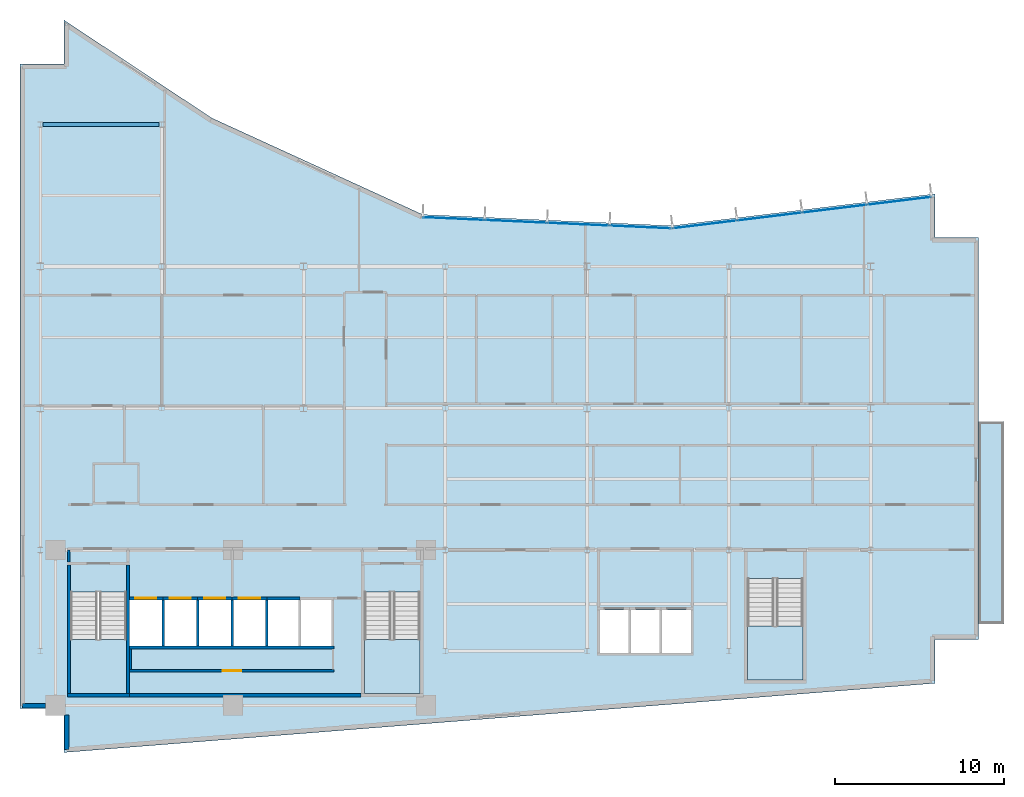
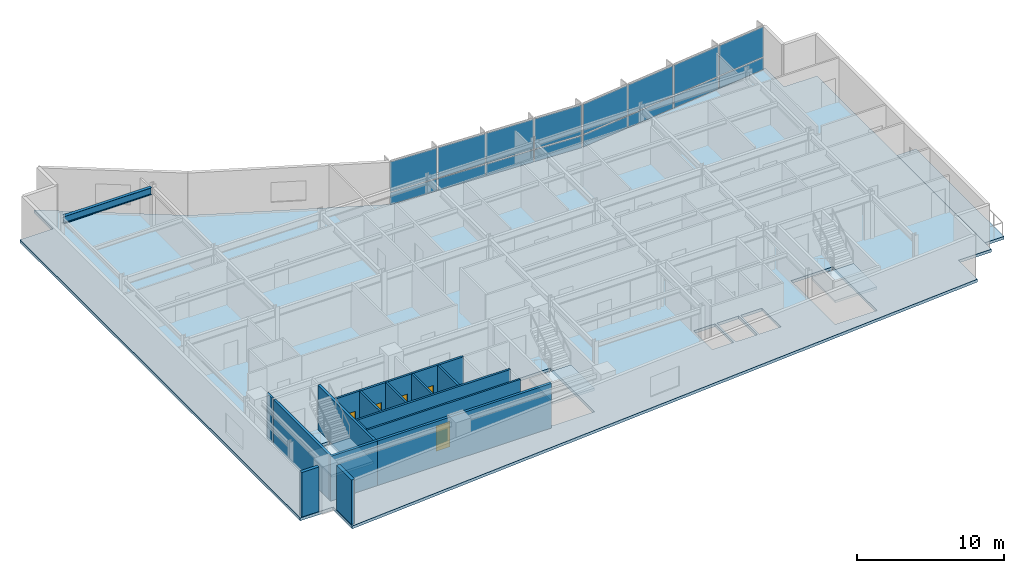
# One storey, part 8 of 17: 19 walls, 16 plates, 5 doors, 5 slabs, 1 beam, 5 openings, 5 elements without a shape of their own.
"""IFC4 building model written with IfcOpenShell, lengths in metres."""

import ifcopenshell
import ifcopenshell.guid

model = None  # the IFC model being written
_history = None  # IfcOwnerHistory: only IFC2X3 demands one
_inside = {}  # id of a spatial element -> (the spatial element, [elements in it])
_under = {}  # id of a project, library or spatial element -> (it, [spatial elements below it])
_declared = {}  # id of a project -> (the project, [libraries it declares])
_typed = {}  # id of a type object -> (the type object, [elements of that type])
_made_of = {}  # id of a material, layer set ... -> (it, [elements and type objects made of it])


def new_model(schema):
    """Start an empty IFC model of exactly this schema.

    Asked for "IFC4X3", IfcOpenShell would pick the latest addendum, in which some entities
    have other attributes; the version numbers below select the first issue.
    IFC2X3 requires an IfcOwnerHistory on every rooted entity: one is made here for all.
    """
    global model, _history
    if schema == "IFC4X3":
        model = ifcopenshell.file(schema_version=(4, 3, 0, 0))
    else:
        model = ifcopenshell.file(schema=schema)
    _inside.clear()
    _under.clear()
    _declared.clear()
    _typed.clear()
    _made_of.clear()
    _history = None
    if model.schema == "IFC2X3":
        org = make("IfcOrganization", Name="unknown")
        user = make(
            "IfcPersonAndOrganization",
            ThePerson=make("IfcPerson", FamilyName="unknown"),
            TheOrganization=org,
        )
        app = make(
            "IfcApplication",
            ApplicationDeveloper=org,
            Version="unknown",
            ApplicationFullName="unknown",
            ApplicationIdentifier="unknown",
        )
        _history = make(
            "IfcOwnerHistory",
            OwningUser=user,
            OwningApplication=app,
            ChangeAction="ADDED",
            CreationDate=0,
        )
    return model


def make(cls, **values):
    """One entity of the class cls with the attributes given. An attribute that is None is left unset."""
    return model.create_entity(
        cls, **{name: value for name, value in values.items() if value is not None}
    )


def rooted(cls, **values):
    """An entity with a GlobalId (a new one), such as an element, a storey or a relation."""
    return make(cls, GlobalId=ifcopenshell.guid.new(), OwnerHistory=_history, **values)


def si_unit(unit_type, name, prefix=None):
    """IfcSIUnit, for example si_unit("LENGTHUNIT", "METRE", prefix="MILLI")."""
    return make("IfcSIUnit", UnitType=unit_type, Prefix=prefix, Name=name)


def assignment(units):
    """IfcUnitAssignment: the units of a project."""
    return None if units is None else make("IfcUnitAssignment", Units=units)


def point(xyz):
    """IfcCartesianPoint."""
    return None if xyz is None else make("IfcCartesianPoint", Coordinates=xyz)


def direction(xyz):
    """IfcDirection."""
    return None if xyz is None else make("IfcDirection", DirectionRatios=xyz)


def frame(location, z_axis=None, x_axis=None):
    """IfcAxis2Placement3D, a coordinate frame: its origin and axes. An axis left out is left unset."""
    return make(
        "IfcAxis2Placement3D",
        Location=point(location),
        Axis=direction(z_axis),
        RefDirection=direction(x_axis),
    )


def frame_2d(location, x_axis=None):
    """IfcAxis2Placement2D, a coordinate frame in the plane: its origin and x axis."""
    return make(
        "IfcAxis2Placement2D", Location=point(location), RefDirection=direction(x_axis)
    )


def origin():
    """The frame at (0, 0, 0) with its axes left unset."""
    return frame((0.0, 0.0, 0.0))


def origin_2d():
    """The frame at (0, 0) in the plane with its x axis left unset."""
    return frame_2d((0.0, 0.0))


def place(relative_to, where):
    """IfcLocalPlacement: puts the frame where relative to a parent placement (None: the world)."""
    return make(
        "IfcLocalPlacement", PlacementRelTo=relative_to, RelativePlacement=where
    )


def context(
    kind, dimensions, precision=None, world=None, true_north=None, identifier=None
):
    """IfcGeometricRepresentationContext, for example the 3D "Model" context."""
    return make(
        "IfcGeometricRepresentationContext",
        ContextIdentifier=identifier,
        ContextType=kind,
        CoordinateSpaceDimension=dimensions,
        Precision=precision,
        WorldCoordinateSystem=world,
        TrueNorth=true_north,
    )


def subcontext(parent, identifier, kind, view, scale=None):
    """IfcGeometricRepresentationSubContext, for example "Body" below "Model"."""
    return make(
        "IfcGeometricRepresentationSubContext",
        ContextIdentifier=identifier,
        ContextType=kind,
        ParentContext=parent,
        TargetScale=scale,
        TargetView=view,
    )


def project(units=None, contexts=None):
    """IfcProject with its units and contexts."""
    return rooted(
        "IfcProject",
        Name="project",
        RepresentationContexts=contexts,
        UnitsInContext=assignment(units),
    )


def spatial(cls, under=None, at=None, **own):
    """A site, building, storey or space (cls), placed at a placement, below another one or the project."""
    s = rooted(cls, ObjectPlacement=at, **own)
    if under is not None:
        _under.setdefault(under.id(), (under, []))[1].append(s)
    return s


def polyline(points):
    """IfcPolyline through the points."""
    return make("IfcPolyline", Points=[point(p) for p in points])


def profile(cls, at=None, kind="AREA", **sizes):
    """A parametric profile (cls). Its sizes go by their IFC names, for example OverallWidth=200.0."""
    return make(cls, ProfileType=kind, Position=at, **sizes)


def rectangle(**sizes):
    """IfcRectangleProfileDef."""
    return profile("IfcRectangleProfileDef", **sizes)


def i_section(**sizes):
    """IfcIShapeProfileDef."""
    return profile("IfcIShapeProfileDef", **sizes)


def outline(outer, holes=None, kind="AREA"):
    """IfcArbitraryClosedProfileDef: a profile drawn as a closed curve; with holes, ...WithVoids."""
    if holes is None:
        return make("IfcArbitraryClosedProfileDef", ProfileType=kind, OuterCurve=outer)
    return make(
        "IfcArbitraryProfileDefWithVoids",
        ProfileType=kind,
        OuterCurve=outer,
        InnerCurves=holes,
    )


def extrude(swept, where, along, depth):
    """IfcExtrudedAreaSolid: the profile swept, set in the frame where, extruded along a direction by depth."""
    return make(
        "IfcExtrudedAreaSolid",
        SweptArea=swept,
        Position=where,
        ExtrudedDirection=direction(along),
        Depth=depth,
    )


def shape(context_of_items, identifier, shape_type, items):
    """IfcShapeRepresentation: the items that make up one representation, for example the "Body"."""
    return make(
        "IfcShapeRepresentation",
        ContextOfItems=context_of_items,
        RepresentationIdentifier=identifier,
        RepresentationType=shape_type,
        Items=items,
    )


def material(Name=None, Category=None):
    """IfcMaterial."""
    return make("IfcMaterial", Name=Name, Category=Category)


def layer(
    of_material, thickness, ventilated=None, Name=None, Category=None, Priority=None
):
    """IfcMaterialLayer: one layer of a wall or slab, of a material (None: an air gap)."""
    return make(
        "IfcMaterialLayer",
        Material=of_material,
        LayerThickness=thickness,
        IsVentilated=ventilated,
        Name=Name,
        Category=Category,
        Priority=Priority,
    )


def layer_set(layers, Name=None):
    """IfcMaterialLayerSet."""
    return make("IfcMaterialLayerSet", MaterialLayers=layers, LayerSetName=Name)


def material_profile(
    of_material, cross_section, Name=None, Category=None, Priority=None
):
    """IfcMaterialProfile: a cross section and its material."""
    return make(
        "IfcMaterialProfile",
        Name=Name,
        Material=of_material,
        Profile=cross_section,
        Priority=Priority,
        Category=Category,
    )


def profile_set(profiles, Name=None, composite=None):
    """IfcMaterialProfileSet."""
    return make(
        "IfcMaterialProfileSet",
        Name=Name,
        MaterialProfiles=profiles,
        CompositeProfile=composite,
    )


def made_of(thing, what):
    """Note that an element or type object is made of a material, layer set ...; save() writes the relation."""
    if what is not None:
        _made_of.setdefault(what.id(), (what, []))[1].append(thing)
    return thing


def type_object(cls, material=None, **own):
    """A type object (cls), such as IfcWallType, which elements share."""
    return made_of(rooted(cls, **own), material)


def element(
    cls,
    number,
    at=None,
    inside=None,
    cuts=None,
    type_object=None,
    material=None,
    context=None,
    identifier="Body",
    shape_type=None,
    held_by="IfcProductDefinitionShape",
    body=None,
    shapes=None,
    **own,
):
    """One element of the class cls, such as IfcWall. Its Tag is "e" and its number.

    at: its placement. inside: the storey or other place that contains it. cuts: it is an
    opening in that element (IfcRelVoidsElement). A single representation is given by context,
    identifier, shape_type and body (its items); several are given by shapes. held_by: the class
    of the entity that holds the representations. save() writes the other relations.
    """
    e = rooted(cls, Tag="e%d" % number, ObjectPlacement=at, **own)
    if body is not None:
        shapes = [shape(context, identifier, shape_type, body)]
    if shapes is not None:
        e.Representation = make(held_by, Representations=shapes)
    if inside is not None:
        _inside.setdefault(inside.id(), (inside, []))[1].append(e)
    if cuts is not None:
        rooted(
            "IfcRelVoidsElement", RelatingBuildingElement=cuts, RelatedOpeningElement=e
        )
    if type_object is not None:
        _typed.setdefault(type_object.id(), (type_object, []))[1].append(e)
    return made_of(e, material)


def fill(opening, filler):
    """IfcRelFillsElement: the door or window that sits in an opening."""
    return rooted(
        "IfcRelFillsElement",
        RelatingOpeningElement=opening,
        RelatedBuildingElement=filler,
    )


def aggregate(whole, parts):
    """IfcRelAggregates: a whole, such as a stair, and the parts it consists of."""
    return rooted("IfcRelAggregates", RelatingObject=whole, RelatedObjects=parts)


def save(model, path):
    """Write the relations noted so far, then the file.

    IfcRelAggregates (storeys below a building ...), IfcRelContainedInSpatialStructure (elements
    in a storey), IfcRelDefinesByType, IfcRelAssociatesMaterial and IfcRelDeclares: one each for
    every whole, place, type object, material and project.
    """
    for whole, parts in _under.values():
        aggregate(whole, parts)
    for where, things in _inside.values():
        rooted(
            "IfcRelContainedInSpatialStructure",
            RelatedElements=things,
            RelatingStructure=where,
        )
    for kind, things in _typed.values():
        rooted("IfcRelDefinesByType", RelatedObjects=things, RelatingType=kind)
    for what, things in _made_of.values():
        rooted("IfcRelAssociatesMaterial", RelatedObjects=things, RelatingMaterial=what)
    for by, libraries in _declared.values():
        rooted("IfcRelDeclares", RelatingContext=by, RelatedDefinitions=libraries)
    model.write(path)


model = new_model("IFC4")

# Units and contexts
model_context = context("Model", 3, precision=1e-05, world=origin(), true_north=direction((0.0, 1.0)))
body_context = subcontext(model_context, "Body", "Model", "MODEL_VIEW")
ifc_project = project(units=[si_unit("LENGTHUNIT", "METRE"), si_unit("AREAUNIT", "SQUARE_METRE"), si_unit("VOLUMEUNIT", "CUBIC_METRE"), si_unit("PLANEANGLEUNIT", "RADIAN"), si_unit("MASSUNIT", "GRAM", prefix="KILO")], contexts=[model_context])

# Site, building, storey
site_placement = place(None, origin())
site = spatial("IfcSite", under=ifc_project, at=site_placement, CompositionType="ELEMENT")
building_placement = place(site_placement, origin())
building = spatial("IfcBuilding", under=site, at=building_placement, Name="Varnakote Quay Hospital", CompositionType="ELEMENT")
storey_placement = place(building_placement, frame((0.0, 0.0, 131.0)))
storey = spatial("IfcBuildingStorey", under=building, at=storey_placement, Name="L32", CompositionType="ELEMENT", Elevation=131.0)

# Beam
ifc_material_1 = material(Name="Structural steel AS/NZS 3679.1 Grade 350 L0 (fy 340 MPa)", Category="steel")
ifc_material_profile = material_profile(ifc_material_1, i_section(OverallWidth=0.22802734375, OverallDepth=0.60205078125, WebThickness=0.010498046875, FlangeThickness=0.014892578125, FilletRadius=0.013916015625, at=origin_2d()), Name="610UB101")
ifc_profile_set = profile_set([ifc_material_profile], Name="Structural steel AS/NZS 3679.1 Grade 350 L0 (fy 340 MPa)")
beam_type = type_object("IfcBeamType", Name="BM-STL-610UB101", PredefinedType="BEAM", material=ifc_profile_set)
beam_placement = place(storey_placement, frame((1.3544921875, 37.199951171875, 3.408935546875), z_axis=(1.0, 0.0, 0.0), x_axis=(0.0, 1.0, 0.0)))
element("IfcBeam", 1, at=beam_placement, inside=storey, type_object=beam_type, Name="L32 Primary Floor Beam", PredefinedType="BEAM", context=body_context, shape_type="SweptSolid", body=[
    extrude(i_section(OverallWidth=0.22802734375, OverallDepth=0.60205078125, WebThickness=0.010498046875, FlangeThickness=0.014892578125, FilletRadius=0.013916015625, at=origin_2d()), origin(), (0.0, 0.0, 1.0), 6.89111328125),
])

# Curtain wall, plates
ifc_material_2 = material(Name="Anodised aluminium 6063-T6 Bronze", Category="aluminium")
ifc_layer_1 = layer(ifc_material_2, 0.205078125)
ifc_layer_set_1 = layer_set([ifc_layer_1], Name="Anodised aluminium 6063-T6 Bronze")
curtain_wall_type = type_object("IfcCurtainWallType", Name="CW-SYS-3", PredefinedType="NOTDEFINED", material=ifc_layer_set_1)
curtain_wall_1_placement = place(storey_placement, origin())
curtain_wall_1 = element("IfcCurtainWall", 2, at=curtain_wall_1_placement, inside=storey, type_object=curtain_wall_type, Name="L32 Unitised Bronze Curtain Wall 1", PredefinedType="NOTDEFINED")
ifc_material_3 = material(Name="Double-glazed low-E solar glass", Category="glass")
ifc_layer_2 = layer(ifc_material_3, 0.028076171875)
ifc_layer_set_2 = layer_set([ifc_layer_2], Name="Double-glazed low-E solar glass")
plate_type = type_object("IfcPlateType", Name="CW-PNL-GLZ-28", PredefinedType="CURTAIN_PANEL", material=ifc_layer_set_2)
plate_1_placement = place(storey_placement, frame((52.09521484375, 32.68359375, 0.0751953125), z_axis=(0.0, 0.0, 1.0), x_axis=(-0.992734295067, -0.12032713492, 0.0)))
plate_1 = element("IfcPlate", 3, at=plate_1_placement, type_object=plate_type, Name="-3-L32-1 panel 1.1", PredefinedType="CURTAIN_PANEL", context=body_context, shape_type="SweptSolid", body=[
    extrude(rectangle(XDim=3.76806640625, YDim=0.028076171875, at=origin_2d()), origin(), (0.0, 0.0, 1.0), 0.987548828125),
])
plate_2_placement = place(storey_placement, frame((52.09521484375, 32.68359375, 1.137451171875), z_axis=(0.0, 0.0, 1.0), x_axis=(-0.992734295067, -0.12032713492, 0.0)))
plate_2 = element("IfcPlate", 4, at=plate_2_placement, type_object=plate_type, Name="-3-L32-1 panel 1.2", PredefinedType="CURTAIN_PANEL", context=body_context, shape_type="SweptSolid", body=[
    extrude(rectangle(XDim=3.76806640625, YDim=0.028076171875, at=origin_2d()), origin(), (0.0, 0.0, 1.0), 2.49755859375),
])
plate_3_placement = place(storey_placement, frame((48.26123046875, 32.218994140625, 0.0751953125), z_axis=(0.0, 0.0, 1.0), x_axis=(-0.992734295067, -0.12032713492, 0.0)))
plate_3 = element("IfcPlate", 5, at=plate_3_placement, type_object=plate_type, Name="-3-L32-1 panel 2.1", PredefinedType="CURTAIN_PANEL", context=body_context, shape_type="SweptSolid", body=[
    extrude(rectangle(XDim=3.8056640625, YDim=0.028076171875, at=origin_2d()), origin(), (0.0, 0.0, 1.0), 0.987548828125),
])
plate_4_placement = place(storey_placement, frame((48.26123046875, 32.218994140625, 1.137451171875), z_axis=(0.0, 0.0, 1.0), x_axis=(-0.992734295067, -0.12032713492, 0.0)))
plate_4 = element("IfcPlate", 6, at=plate_4_placement, type_object=plate_type, Name="-3-L32-1 panel 2.2", PredefinedType="CURTAIN_PANEL", context=body_context, shape_type="SweptSolid", body=[
    extrude(rectangle(XDim=3.8056640625, YDim=0.028076171875, at=origin_2d()), origin(), (0.0, 0.0, 1.0), 2.49755859375),
])
plate_5_placement = place(storey_placement, frame((44.40869140625, 31.751953125, 0.0751953125), z_axis=(0.0, 0.0, 1.0), x_axis=(-0.992734295067, -0.12032713492, 0.0)))
plate_5 = element("IfcPlate", 7, at=plate_5_placement, type_object=plate_type, Name="-3-L32-1 panel 3.1", PredefinedType="CURTAIN_PANEL", context=body_context, shape_type="SweptSolid", body=[
    extrude(rectangle(XDim=3.8056640625, YDim=0.028076171875, at=origin_2d()), origin(), (0.0, 0.0, 1.0), 0.987548828125),
])
plate_6_placement = place(storey_placement, frame((44.40869140625, 31.751953125, 1.137451171875), z_axis=(0.0, 0.0, 1.0), x_axis=(-0.992734295067, -0.12032713492, 0.0)))
plate_6 = element("IfcPlate", 8, at=plate_6_placement, type_object=plate_type, Name="-3-L32-1 panel 3.2", PredefinedType="CURTAIN_PANEL", context=body_context, shape_type="SweptSolid", body=[
    extrude(rectangle(XDim=3.8056640625, YDim=0.028076171875, at=origin_2d()), origin(), (0.0, 0.0, 1.0), 2.49755859375),
])
plate_7_placement = place(storey_placement, frame((40.574951171875, 31.287353515625, 0.0751953125), z_axis=(0.0, 0.0, 1.0), x_axis=(-0.992734295067, -0.12032713492, 0.0)))
plate_7 = element("IfcPlate", 9, at=plate_7_placement, type_object=plate_type, Name="-3-L32-1 panel 4.1", PredefinedType="CURTAIN_PANEL", context=body_context, shape_type="SweptSolid", body=[
    extrude(rectangle(XDim=3.76806640625, YDim=0.028076171875, at=origin_2d()), origin(), (0.0, 0.0, 1.0), 0.987548828125),
])
plate_8_placement = place(storey_placement, frame((40.574951171875, 31.287353515625, 1.137451171875), z_axis=(0.0, 0.0, 1.0), x_axis=(-0.992734295067, -0.12032713492, 0.0)))
plate_8 = element("IfcPlate", 10, at=plate_8_placement, type_object=plate_type, Name="-3-L32-1 panel 4.2", PredefinedType="CURTAIN_PANEL", context=body_context, shape_type="SweptSolid", body=[
    extrude(rectangle(XDim=3.76806640625, YDim=0.028076171875, at=origin_2d()), origin(), (0.0, 0.0, 1.0), 2.49755859375),
])
aggregate(curtain_wall_1, [plate_1, plate_2, plate_3, plate_4, plate_5, plate_6, plate_7, plate_8])

curtain_wall_2_placement = place(storey_placement, origin())
curtain_wall_2 = element("IfcCurtainWall", 11, at=curtain_wall_2_placement, inside=storey, type_object=curtain_wall_type, Name="L32 Unitised Bronze Curtain Wall 2", PredefinedType="NOTDEFINED")
plate_9_placement = place(storey_placement, frame((36.759765625, 31.135498046875, 0.0751953125), z_axis=(0.0, 0.0, 1.0), x_axis=(-0.998996768014, 0.044782334659, 0.0)))
plate_9 = element("IfcPlate", 12, at=plate_9_placement, type_object=plate_type, Name="-3-L32-2 panel 1.1", PredefinedType="CURTAIN_PANEL", context=body_context, shape_type="SweptSolid", body=[
    extrude(rectangle(XDim=3.59423828125, YDim=0.028076171875, at=origin_2d()), origin(), (0.0, 0.0, 1.0), 0.987548828125),
])
plate_10_placement = place(storey_placement, frame((36.759765625, 31.135498046875, 1.137451171875), z_axis=(0.0, 0.0, 1.0), x_axis=(-0.998996768014, 0.044782334659, 0.0)))
plate_10 = element("IfcPlate", 13, at=plate_10_placement, type_object=plate_type, Name="-3-L32-2 panel 1.2", PredefinedType="CURTAIN_PANEL", context=body_context, shape_type="SweptSolid", body=[
    extrude(rectangle(XDim=3.59423828125, YDim=0.028076171875, at=origin_2d()), origin(), (0.0, 0.0, 1.0), 2.49755859375),
])
plate_11_placement = place(storey_placement, frame((33.075439453125, 31.300537109375, 0.0751953125), z_axis=(0.0, 0.0, 1.0), x_axis=(-0.998996768014, 0.044782334659, 0.0)))
plate_11 = element("IfcPlate", 14, at=plate_11_placement, type_object=plate_type, Name="-3-L32-2 panel 2.1", PredefinedType="CURTAIN_PANEL", context=body_context, shape_type="SweptSolid", body=[
    extrude(rectangle(XDim=3.6318359375, YDim=0.028076171875, at=origin_2d()), origin(), (0.0, 0.0, 1.0), 0.987548828125),
])
plate_12_placement = place(storey_placement, frame((33.075439453125, 31.300537109375, 1.137451171875), z_axis=(0.0, 0.0, 1.0), x_axis=(-0.998996768014, 0.044782334659, 0.0)))
plate_12 = element("IfcPlate", 15, at=plate_12_placement, type_object=plate_type, Name="-3-L32-2 panel 2.2", PredefinedType="CURTAIN_PANEL", context=body_context, shape_type="SweptSolid", body=[
    extrude(rectangle(XDim=3.6318359375, YDim=0.028076171875, at=origin_2d()), origin(), (0.0, 0.0, 1.0), 2.49755859375),
])
plate_13_placement = place(storey_placement, frame((29.372314453125, 31.466552734375, 0.0751953125), z_axis=(0.0, 0.0, 1.0), x_axis=(-0.998996768014, 0.044782334659, 0.0)))
plate_13 = element("IfcPlate", 16, at=plate_13_placement, type_object=plate_type, Name="-3-L32-2 panel 3.1", PredefinedType="CURTAIN_PANEL", context=body_context, shape_type="SweptSolid", body=[
    extrude(rectangle(XDim=3.6318359375, YDim=0.028076171875, at=origin_2d()), origin(), (0.0, 0.0, 1.0), 0.987548828125),
])
plate_14_placement = place(storey_placement, frame((29.372314453125, 31.466552734375, 1.137451171875), z_axis=(0.0, 0.0, 1.0), x_axis=(-0.998996768014, 0.044782334659, 0.0)))
plate_14 = element("IfcPlate", 17, at=plate_14_placement, type_object=plate_type, Name="-3-L32-2 panel 3.2", PredefinedType="CURTAIN_PANEL", context=body_context, shape_type="SweptSolid", body=[
    extrude(rectangle(XDim=3.6318359375, YDim=0.028076171875, at=origin_2d()), origin(), (0.0, 0.0, 1.0), 2.49755859375),
])
plate_15_placement = place(storey_placement, frame((25.68798828125, 31.6318359375, 0.0751953125), z_axis=(0.0, 0.0, 1.0), x_axis=(-0.998996768014, 0.044782334659, 0.0)))
plate_15 = element("IfcPlate", 18, at=plate_15_placement, type_object=plate_type, Name="-3-L32-2 panel 4.1", PredefinedType="CURTAIN_PANEL", context=body_context, shape_type="SweptSolid", body=[
    extrude(rectangle(XDim=3.59423828125, YDim=0.028076171875, at=origin_2d()), origin(), (0.0, 0.0, 1.0), 0.987548828125),
])
plate_16_placement = place(storey_placement, frame((25.68798828125, 31.6318359375, 1.137451171875), z_axis=(0.0, 0.0, 1.0), x_axis=(-0.998996768014, 0.044782334659, 0.0)))
plate_16 = element("IfcPlate", 19, at=plate_16_placement, type_object=plate_type, Name="-3-L32-2 panel 4.2", PredefinedType="CURTAIN_PANEL", context=body_context, shape_type="SweptSolid", body=[
    extrude(rectangle(XDim=3.59423828125, YDim=0.028076171875, at=origin_2d()), origin(), (0.0, 0.0, 1.0), 2.49755859375),
])
aggregate(curtain_wall_2, [plate_9, plate_10, plate_11, plate_12, plate_13, plate_14, plate_15, plate_16])

# Stair, slab
ifc_material_4 = material(Name="Concrete N40 (f'c 40 MPa)", Category="concrete")
stair_type = type_object("IfcStairType", Name="STR-CORE-1580", PredefinedType="HALF_TURN_STAIR", material=ifc_material_4)
stair_1_placement = place(storey_placement, origin())
stair_1 = element("IfcStair", 20, at=stair_1_placement, inside=storey, type_object=stair_type, Name="L32 Fire-Isolated Exit Stair ST-01", PredefinedType="HALF_TURN_STAIR")
ifc_material_5 = material(Name="Concrete N40 (f'c 40 MPa)", Category="concrete")
ifc_layer_3 = layer(ifc_material_5, 0.199951171875)
ifc_layer_set_3 = layer_set([ifc_layer_3], Name="Concrete N40 (f'c 40 MPa)")
slab_type_1 = type_object("IfcSlabType", Name="SLB-STAIR-LND-200", PredefinedType="LANDING", material=ifc_layer_set_3)
slab_1_placement = place(storey_placement, frame((0.0, 0.0, 1.77490234375)))
slab_1 = element("IfcSlab", 21, at=slab_1_placement, type_object=slab_type_1, Name="ST-01 landing 1", PredefinedType="LANDING", context=body_context, shape_type="SweptSolid", body=[
    extrude(outline(polyline([(3.0, 6.699951171875), (3.0, 3.5), (6.300048828125, 3.5), (6.300048828125, 6.699951171875), (3.0, 6.699951171875)])), origin(), (0.0, 0.0, 1.0), 0.2001953125),
])
aggregate(stair_1, [slab_1])

stair_2_placement = place(storey_placement, origin())
stair_2 = element("IfcStair", 22, at=stair_2_placement, inside=storey, type_object=stair_type, Name="L32 Fire-Isolated Exit Stair ST-02", PredefinedType="HALF_TURN_STAIR")
slab_2_placement = place(storey_placement, frame((0.0, 0.0, 1.77490234375)))
slab_2 = element("IfcSlab", 23, at=slab_2_placement, type_object=slab_type_1, Name="ST-02 landing 1", PredefinedType="LANDING", context=body_context, shape_type="SweptSolid", body=[
    extrude(outline(polyline([(20.39990234375, 6.699951171875), (20.39990234375, 3.5), (23.699951171875, 3.5), (23.699951171875, 6.699951171875), (20.39990234375, 6.699951171875)])), origin(), (0.0, 0.0, 1.0), 0.2001953125),
])
aggregate(stair_2, [slab_2])

stair_3_placement = place(storey_placement, origin())
stair_3 = element("IfcStair", 24, at=stair_3_placement, inside=storey, type_object=stair_type, Name="L32 Fire-Isolated Exit Stair ST-03", PredefinedType="HALF_TURN_STAIR")
slab_3_placement = place(storey_placement, frame((0.0, 0.0, 1.77490234375)))
slab_3 = element("IfcSlab", 25, at=slab_3_placement, type_object=slab_type_1, Name="ST-03 landing 1", PredefinedType="LANDING", context=body_context, shape_type="SweptSolid", body=[
    extrude(outline(polyline([(43.10009765625, 7.5), (43.10009765625, 4.300048828125), (46.39990234375, 4.300048828125), (46.39990234375, 7.5), (43.10009765625, 7.5)])), origin(), (0.0, 0.0, 1.0), 0.2001953125),
])
aggregate(stair_3, [slab_3])

# Slabs
ifc_material_6 = material(Name="Concrete N50 (f'c 50 MPa)", Category="concrete")
ifc_layer_4 = layer(ifc_material_6, 0.239990234375)
ifc_layer_set_4 = layer_set([ifc_layer_4], Name="Concrete N50 (f'c 50 MPa)")
slab_type_2 = type_object("IfcSlabType", Name="SLB-TERR-200", PredefinedType="FLOOR", material=ifc_layer_set_4)
slab_4_placement = place(storey_placement, frame((0.0, 0.0, -0.239990234375)))
element("IfcSlab", 26, at=slab_4_placement, inside=storey, type_object=slab_type_2, Name="L32 Waterfront Healing Terrace Slab", PredefinedType="FLOOR", context=body_context, shape_type="SweptSolid", body=[
    extrude(outline(polyline([(56.7958984375, 7.60009765625), (58.300048828125, 7.60009765625), (58.300048828125, 19.60009765625), (56.7958984375, 19.60009765625), (56.7958984375, 7.60009765625)])), origin(), (0.0, 0.0, 1.0), 0.239990234375),
])
ifc_material_7 = material(Name="Concrete N50 (f'c 50 MPa)", Category="concrete")
ifc_layer_5 = layer(ifc_material_7, 0.239990234375)
ifc_layer_set_5 = layer_set([ifc_layer_5], Name="Concrete N50 (f'c 50 MPa)")
slab_type_3 = type_object("IfcSlabType", Name="SLB-WARD-200", PredefinedType="FLOOR", material=ifc_layer_set_5)
slab_5_placement = place(storey_placement, frame((0.0, 0.0, -0.239990234375)))
element("IfcSlab", 27, at=slab_5_placement, inside=storey, type_object=slab_type_3, Name="L32 Primary Floor Slab", PredefinedType="FLOOR", context=body_context, shape_type="SweptSolid", body=[
    extrude(outline(polyline([(0.0, 2.60009765625), (2.60009765625, 2.60009765625), (2.60009765625, 0.0), (54.199951171875, 4.10009765625), (54.199951171875, 6.699951171875), (56.800048828125, 6.699951171875), (56.800048828125, 30.5), (54.199951171875, 30.5), (54.199951171875, 33.10009765625), (38.6240234375, 31.2119140625), (23.85595703125, 31.8740234375), (11.360107421875, 37.595947265625), (2.60009765625, 43.39990234375), (2.60009765625, 40.800048828125), (0.0, 40.800048828125), (0.0, 2.60009765625)]), holes=[polyline([(3.0, 3.5), (6.300048828125, 3.5), (6.300048828125, 9.49951171875), (3.0, 9.49951171875), (3.0, 3.5)]), polyline([(20.39990234375, 3.5), (23.699951171875, 3.5), (23.699951171875, 9.49951171875), (20.39990234375, 9.49951171875), (20.39990234375, 3.5)]), polyline([(43.10009765625, 4.300048828125), (46.39990234375, 4.300048828125), (46.39990234375, 10.29931640625), (43.10009765625, 10.29931640625), (43.10009765625, 4.300048828125)]), polyline([(6.5, 6.300048828125), (8.39990234375, 6.300048828125), (8.39990234375, 9.050048828125), (6.5, 9.050048828125), (6.5, 6.300048828125)]), polyline([(8.550048828125, 6.300048828125), (10.449951171875, 6.300048828125), (10.449951171875, 9.050048828125), (8.550048828125, 9.050048828125), (8.550048828125, 6.300048828125)]), polyline([(10.60009765625, 6.300048828125), (12.5, 6.300048828125), (12.5, 9.050048828125), (10.60009765625, 9.050048828125), (10.60009765625, 6.300048828125)]), polyline([(12.64990234375, 6.300048828125), (14.550048828125, 6.300048828125), (14.550048828125, 9.050048828125), (12.64990234375, 9.050048828125), (12.64990234375, 6.300048828125)]), polyline([(14.699951171875, 6.300048828125), (16.5, 6.300048828125), (16.5, 9.050048828125), (14.699951171875, 9.050048828125), (14.699951171875, 6.300048828125)]), polyline([(16.64990234375, 6.300048828125), (18.449951171875, 6.300048828125), (18.449951171875, 9.050048828125), (16.64990234375, 9.050048828125), (16.64990234375, 6.300048828125)]), polyline([(34.35009765625, 5.89990234375), (36.050048828125, 5.89990234375), (36.050048828125, 8.449951171875), (34.35009765625, 8.449951171875), (34.35009765625, 5.89990234375)]), polyline([(36.199951171875, 5.89990234375), (37.89990234375, 5.89990234375), (37.89990234375, 8.449951171875), (36.199951171875, 8.449951171875), (36.199951171875, 5.89990234375)]), polyline([(38.050048828125, 5.89990234375), (39.75, 5.89990234375), (39.75, 8.449951171875), (38.050048828125, 8.449951171875), (38.050048828125, 5.89990234375)])]), origin(), (0.0, 0.0, 1.0), 0.239990234375),
])

# Walls
ifc_material_8 = material(Name="Fire-rated acoustic gypsum stud wall", Category="gypsum")
ifc_layer_6 = layer(ifc_material_8, 0.159912109375)
ifc_layer_set_6 = layer_set([ifc_layer_6], Name="Fire-rated acoustic gypsum stud wall")
wall_type_1 = type_object("IfcWallType", Name="WL-COMP-160", PredefinedType="PARTITIONING", material=ifc_layer_set_6)
wall_1_placement = place(storey_placement, frame((2.8798828125, 11.300048828125, 0.0), z_axis=(0.0, 0.0, 1.0), x_axis=(0.0, 1.0, 0.0)))
element("IfcWall", 28, at=wall_1_placement, inside=storey, type_object=wall_type_1, Name="L32 West Stair Vestibule West Wall", PredefinedType="PARTITIONING", context=body_context, shape_type="SweptSolid", body=[
    extrude(rectangle(XDim=0.699951171875, YDim=0.159912109375, at=frame_2d((0.35009765625, 0.0))), origin(), (0.0, 0.0, 1.0), 3.7099609375),
])
ifc_material_9 = material(Name="Concrete N65 (f'c 65 MPa)", Category="concrete")
ifc_layer_7 = layer(ifc_material_9, 0.199951171875)
ifc_layer_set_7 = layer_set([ifc_layer_7], Name="Concrete N65 (f'c 65 MPa)")
wall_type_2 = type_object("IfcWallType", Name="WL-CORE-N65-200", PredefinedType="SHEAR", material=ifc_layer_set_7)
wall_2_placement = place(storey_placement, frame((6.5, 3.39990234375, 0.0), z_axis=(0.0, 0.0, 1.0), x_axis=(1.0, 0.0, 0.0)))
element("IfcWall", 29, at=wall_2_placement, inside=storey, type_object=wall_type_2, Name="L32 Rear Core South Shear Wall", PredefinedType="SHEAR", context=body_context, shape_type="SweptSolid", body=[
    extrude(rectangle(XDim=13.699951171875, YDim=0.199951171875, at=frame_2d((6.85009765625, 0.0))), origin(), (0.0, 0.0, 1.0), 3.7099609375),
])
ifc_material_10 = material(Name="Precast concrete N50 (f'c 50 MPa)", Category="concrete")
ifc_layer_8 = layer(ifc_material_10, 0.260009765625)
ifc_layer_set_8 = layer_set([ifc_layer_8], Name="Precast concrete N50 (f'c 50 MPa)")
wall_type_3 = type_object("IfcWallType", Name="WL-EXT-BRICK-260", PredefinedType="STANDARD", material=ifc_layer_set_8)
wall_3_placement = place(storey_placement, frame((2.760009765625, 2.215087890625, 0.0), z_axis=(0.0, 0.0, 1.0), x_axis=(0.0, -1.0, 0.0)))
element("IfcWall", 30, at=wall_3_placement, inside=storey, type_object=wall_type_3, Name="L32 Brick-Faced Precast Exterior Wall", PredefinedType="STANDARD", context=body_context, shape_type="SweptSolid", body=[
    extrude(rectangle(XDim=2.0419921875, YDim=0.260009765625, at=frame_2d((1.02099609375, 0.0))), origin(), (0.0, 0.0, 1.0), 3.7099609375),
])
wall_4_placement = place(storey_placement, frame((0.159912109375, 2.760009765625, 0.0), z_axis=(0.0, 0.0, 1.0), x_axis=(1.0, 0.0, 0.0)))
element("IfcWall", 31, at=wall_4_placement, inside=storey, type_object=wall_type_3, Name="L32 Brick-Faced Precast Exterior Wall", PredefinedType="STANDARD", context=body_context, shape_type="SweptSolid", body=[
    extrude(rectangle(XDim=1.35498046875, YDim=0.260009765625, at=frame_2d((0.677490234375, 0.0))), origin(), (0.0, 0.0, 1.0), 3.7099609375),
])
ifc_material_11 = material(Name="Concrete N50 (f'c 50 MPa)", Category="concrete")
ifc_layer_9 = layer(ifc_material_11, 0.14990234375)
ifc_layer_set_9 = layer_set([ifc_layer_9], Name="Concrete N50 (f'c 50 MPa)")
wall_type_4 = type_object("IfcWallType", Name="WL-SHAFT-N50-150", PredefinedType="SHEAR", material=ifc_layer_set_9)
for number, where, z_axis, x_axis, name in (
    (32, (8.47509765625, 6.300048828125, 0.0), (0.0, 0.0, 1.0), (0.0, 1.0, 0.0), "L32 LF-FF1 Hoistway Divider Wall"),
    (33, (10.52490234375, 6.300048828125, 0.0), (0.0, 0.0, 1.0), (0.0, 1.0, 0.0), "L32 LF-FF2 Hoistway Divider Wall"),
    (34, (12.574951171875, 6.300048828125, 0.0), (0.0, 0.0, 1.0), (0.0, 1.0, 0.0), "L32 LF-SV1 Hoistway Divider Wall"),
    (35, (14.625, 6.300048828125, 0.0), (0.0, 0.0, 1.0), (0.0, 1.0, 0.0), "L32 LF-SV2 Hoistway Divider Wall"),
):
    element("IfcWall", number, at=place(storey_placement, frame(where, z_axis=z_axis, x_axis=x_axis)), inside=storey, type_object=wall_type_4, Name=name, PredefinedType="SHEAR", context=body_context, shape_type="SweptSolid", body=[
        extrude(rectangle(XDim=2.75, YDim=0.14990234375, at=frame_2d((1.375, 0.0))), origin(), (0.0, 0.0, 1.0), 3.7099609375),
    ])
ifc_material_12 = material(Name="Concrete N50 (f'c 50 MPa)", Category="concrete")
ifc_layer_10 = layer(ifc_material_12, 0.159912109375)
ifc_layer_set_10 = layer_set([ifc_layer_10], Name="Concrete N50 (f'c 50 MPa)")
wall_type_5 = type_object("IfcWallType", Name="WL-SHAFT-N50-160", PredefinedType="SHEAR", material=ifc_layer_set_10)
wall_5_placement = place(storey_placement, frame((6.5, 6.219970703125, 0.0), z_axis=(0.0, 0.0, 1.0), x_axis=(1.0, 0.0, 0.0)))
element("IfcWall", 36, at=wall_5_placement, inside=storey, type_object=wall_type_5, Name="L32 REAR Lift Bank Back Shear Wall", PredefinedType="SHEAR", context=body_context, shape_type="SweptSolid", body=[
    extrude(rectangle(XDim=12.110107421875, YDim=0.159912109375, at=frame_2d((6.05517578125, 0.0))), origin(), (0.0, 0.0, 1.0), 3.7099609375),
])

# Wall, opening, door
wall_6_placement = place(storey_placement, frame((6.5, 9.1298828125, 0.0), z_axis=(0.0, 0.0, 1.0), x_axis=(1.0, 0.0, 0.0)))
wall_6 = element("IfcWall", 37, at=wall_6_placement, inside=storey, type_object=wall_type_5, Name="L32 LF-FF1 Hoistway Front Wall", PredefinedType="SHEAR", context=body_context, shape_type="SweptSolid", body=[
    extrude(rectangle(XDim=1.97509765625, YDim=0.159912109375, at=frame_2d((0.987548828125, 0.0))), origin(), (0.0, 0.0, 1.0), 3.7099609375),
])
opening_1_placement = place(wall_6_placement, frame((0.324951171875, 0.0, 0.0)))
opening_1 = element("IfcOpeningElement", 38, at=opening_1_placement, cuts=wall_6, Name="Opening LD-FF1-L32", PredefinedType="OPENING", context=body_context, shape_type="SweptSolid", body=[
    extrude(rectangle(XDim=1.25, YDim=2.14990234375, at=frame_2d((0.625, 1.074951171875))), frame((0.0, 0.08984375, 0.0), z_axis=(0.0, -1.0, 0.0), x_axis=(1.0, 0.0, 0.0)), (0.0, 0.0, 1.0), 0.179931640625),
])
ifc_material_13 = material(Name="Stainless steel lift landing sliding door", Category="steel")
door_type_1 = type_object("IfcDoorType", Name="DR-LIFT-LD-1250x2150", OperationType="NOTDEFINED", PredefinedType="DOOR", material=ifc_material_13)
door_1_placement = place(opening_1_placement, origin())
door_1 = element("IfcDoor", 39, at=door_1_placement, inside=storey, type_object=door_type_1, Name="L32 LF-FF1 Lift Landing Sliding Door", OperationType="SLIDING_TO_LEFT", OverallHeight=2.14990234375, OverallWidth=1.25, PredefinedType="DOOR", context=body_context, shape_type="SweptSolid", body=[
    extrude(rectangle(XDim=1.25, YDim=2.14990234375, at=frame_2d((0.625, 1.074951171875))), frame((0.0, 0.02490234375, 0.0), z_axis=(0.0, -1.0, 0.0), x_axis=(1.0, 0.0, 0.0)), (0.0, 0.0, 1.0), 0.050048828125),
])
fill(opening_1, door_1)

wall_7_placement = place(storey_placement, frame((8.47509765625, 9.1298828125, 0.0), z_axis=(0.0, 0.0, 1.0), x_axis=(1.0, 0.0, 0.0)))
wall_7 = element("IfcWall", 40, at=wall_7_placement, inside=storey, type_object=wall_type_5, Name="L32 LF-FF2 Hoistway Front Wall", PredefinedType="SHEAR", context=body_context, shape_type="SweptSolid", body=[
    extrude(rectangle(XDim=2.0498046875, YDim=0.159912109375, at=frame_2d((1.02490234375, 0.0))), origin(), (0.0, 0.0, 1.0), 3.7099609375),
])
opening_2_placement = place(wall_7_placement, frame((0.39990234375, 0.0, 0.0)))
opening_2 = element("IfcOpeningElement", 41, at=opening_2_placement, cuts=wall_7, Name="Opening LD-FF2-L32", PredefinedType="OPENING", context=body_context, shape_type="SweptSolid", body=[
    extrude(rectangle(XDim=1.25, YDim=2.14990234375, at=frame_2d((0.625, 1.074951171875))), frame((0.0, 0.08984375, 0.0), z_axis=(0.0, -1.0, 0.0), x_axis=(1.0, 0.0, 0.0)), (0.0, 0.0, 1.0), 0.179931640625),
])
door_2_placement = place(opening_2_placement, origin())
door_2 = element("IfcDoor", 42, at=door_2_placement, inside=storey, type_object=door_type_1, Name="L32 LF-FF2 Lift Landing Sliding Door", OperationType="SLIDING_TO_LEFT", OverallHeight=2.14990234375, OverallWidth=1.25, PredefinedType="DOOR", context=body_context, shape_type="SweptSolid", body=[
    extrude(rectangle(XDim=1.25, YDim=2.14990234375, at=frame_2d((0.625, 1.074951171875))), frame((0.0, 0.02490234375, 0.0), z_axis=(0.0, -1.0, 0.0), x_axis=(1.0, 0.0, 0.0)), (0.0, 0.0, 1.0), 0.050048828125),
])
fill(opening_2, door_2)

wall_8_placement = place(storey_placement, frame((10.52490234375, 9.1298828125, 0.0), z_axis=(0.0, 0.0, 1.0), x_axis=(1.0, 0.0, 0.0)))
wall_8 = element("IfcWall", 43, at=wall_8_placement, inside=storey, type_object=wall_type_5, Name="L32 LF-SV1 Hoistway Front Wall", PredefinedType="SHEAR", context=body_context, shape_type="SweptSolid", body=[
    extrude(rectangle(XDim=2.050048828125, YDim=0.159912109375, at=frame_2d((1.02490234375, 0.0))), origin(), (0.0, 0.0, 1.0), 3.7099609375),
])
opening_3_placement = place(wall_8_placement, frame((0.39990234375, 0.0, 0.0)))
opening_3 = element("IfcOpeningElement", 44, at=opening_3_placement, cuts=wall_8, Name="Opening LD-SV1-L32", PredefinedType="OPENING", context=body_context, shape_type="SweptSolid", body=[
    extrude(rectangle(XDim=1.25, YDim=2.14990234375, at=frame_2d((0.625, 1.074951171875))), frame((0.0, 0.08984375, 0.0), z_axis=(0.0, -1.0, 0.0), x_axis=(1.0, 0.0, 0.0)), (0.0, 0.0, 1.0), 0.179931640625),
])
door_3_placement = place(opening_3_placement, origin())
door_3 = element("IfcDoor", 45, at=door_3_placement, inside=storey, type_object=door_type_1, Name="L32 LF-SV1 Lift Landing Sliding Door", OperationType="SLIDING_TO_LEFT", OverallHeight=2.14990234375, OverallWidth=1.25, PredefinedType="DOOR", context=body_context, shape_type="SweptSolid", body=[
    extrude(rectangle(XDim=1.25, YDim=2.14990234375, at=frame_2d((0.625, 1.074951171875))), frame((0.0, 0.02490234375, 0.0), z_axis=(0.0, -1.0, 0.0), x_axis=(1.0, 0.0, 0.0)), (0.0, 0.0, 1.0), 0.050048828125),
])
fill(opening_3, door_3)

wall_9_placement = place(storey_placement, frame((12.574951171875, 9.1298828125, 0.0), z_axis=(0.0, 0.0, 1.0), x_axis=(1.0, 0.0, 0.0)))
wall_9 = element("IfcWall", 46, at=wall_9_placement, inside=storey, type_object=wall_type_5, Name="L32 LF-SV2 Hoistway Front Wall", PredefinedType="SHEAR", context=body_context, shape_type="SweptSolid", body=[
    extrude(rectangle(XDim=2.050048828125, YDim=0.159912109375, at=frame_2d((1.02490234375, 0.0))), origin(), (0.0, 0.0, 1.0), 3.7099609375),
])
opening_4_placement = place(wall_9_placement, frame((0.39990234375, 0.0, 0.0)))
opening_4 = element("IfcOpeningElement", 47, at=opening_4_placement, cuts=wall_9, Name="Opening LD-SV2-L32", PredefinedType="OPENING", context=body_context, shape_type="SweptSolid", body=[
    extrude(rectangle(XDim=1.25, YDim=2.14990234375, at=frame_2d((0.625, 1.074951171875))), frame((0.0, 0.08984375, 0.0), z_axis=(0.0, -1.0, 0.0), x_axis=(1.0, 0.0, 0.0)), (0.0, 0.0, 1.0), 0.179931640625),
])
door_4_placement = place(opening_4_placement, origin())
door_4 = element("IfcDoor", 48, at=door_4_placement, inside=storey, type_object=door_type_1, Name="L32 LF-SV2 Lift Landing Sliding Door", OperationType="SLIDING_TO_LEFT", OverallHeight=2.14990234375, OverallWidth=1.25, PredefinedType="DOOR", context=body_context, shape_type="SweptSolid", body=[
    extrude(rectangle(XDim=1.25, YDim=2.14990234375, at=frame_2d((0.625, 1.074951171875))), frame((0.0, 0.02490234375, 0.0), z_axis=(0.0, -1.0, 0.0), x_axis=(1.0, 0.0, 0.0)), (0.0, 0.0, 1.0), 0.050048828125),
])
fill(opening_4, door_4)

# Walls
wall_10_placement = place(storey_placement, frame((14.625, 9.1298828125, 0.0), z_axis=(0.0, 0.0, 1.0), x_axis=(1.0, 0.0, 0.0)))
element("IfcWall", 49, at=wall_10_placement, inside=storey, type_object=wall_type_5, Name="L32 LF-PH1 Hoistway Front Wall", PredefinedType="SHEAR", context=body_context, shape_type="SweptSolid", body=[
    extrude(rectangle(XDim=1.949951171875, YDim=0.159912109375, at=frame_2d((0.97509765625, 0.0))), origin(), (0.0, 0.0, 1.0), 3.7099609375),
])
ifc_material_14 = material(Name="Concrete N50 (f'c 50 MPa)", Category="concrete")
ifc_layer_11 = layer(ifc_material_14, 0.199951171875)
ifc_layer_set_11 = layer_set([ifc_layer_11], Name="Concrete N50 (f'c 50 MPa)")
wall_type_6 = type_object("IfcWallType", Name="WL-SHAFT-N50-200", PredefinedType="SHEAR", material=ifc_layer_set_11)
wall_11_placement = place(storey_placement, frame((2.800048828125, 3.39990234375, 0.0), z_axis=(0.0, 0.0, 1.0), x_axis=(1.0, 0.0, 0.0)))
element("IfcWall", 50, at=wall_11_placement, inside=storey, type_object=wall_type_6, Name="L32 Stair ST1 South Shaft Wall", PredefinedType="SHEAR", context=body_context, shape_type="SweptSolid", body=[
    extrude(rectangle(XDim=3.699951171875, YDim=0.199951171875, at=frame_2d((1.85009765625, 0.0))), origin(), (0.0, 0.0, 1.0), 3.7099609375),
])
for number, where, z_axis, x_axis, name in (
    (51, (2.89990234375, 3.5, 0.0), (0.0, 0.0, 1.0), (0.0, 1.0, 0.0), "L32 Stair ST1 West Shaft Wall"),
    (52, (6.39990234375, 3.5, 0.0), (0.0, 0.0, 1.0), (0.0, 1.0, 0.0), "L32 Stair ST1 East Shaft Wall"),
):
    element("IfcWall", number, at=place(storey_placement, frame(where, z_axis=z_axis, x_axis=x_axis)), inside=storey, type_object=wall_type_6, Name=name, PredefinedType="SHEAR", context=body_context, shape_type="SweptSolid", body=[
        extrude(rectangle(XDim=7.60009765625, YDim=0.199951171875, at=frame_2d((3.800048828125, 0.0))), origin(), (0.0, 0.0, 1.0), 3.7099609375),
    ])
ifc_material_15 = material(Name="Smoke-proof clinical partition", Category="gypsum")
ifc_layer_12 = layer(ifc_material_15, 0.1201171875)
ifc_layer_set_12 = layer_set([ifc_layer_12], Name="Smoke-proof clinical partition")
wall_type_7 = type_object("IfcWallType", Name="WL-SMOKE-120", PredefinedType="PARTITIONING", material=ifc_layer_set_12)
wall_12_placement = place(storey_placement, frame((6.56005859375, 4.919921875, 0.0), z_axis=(0.0, 0.0, 1.0), x_axis=(0.0, 1.0, 0.0)))
element("IfcWall", 53, at=wall_12_placement, inside=storey, type_object=wall_type_7, Name="L32 Core Service Strip West Wall", PredefinedType="PARTITIONING", context=body_context, shape_type="SweptSolid", body=[
    extrude(rectangle(XDim=1.219970703125, YDim=0.1201171875, at=frame_2d((0.60986328125, 0.0))), origin(), (0.0, 0.0, 1.0), 3.7099609375),
])

# Wall, opening, door
ifc_material_16 = material(Name="Fire-rated clinical gypsum partition", Category="gypsum")
ifc_layer_13 = layer(ifc_material_16, 0.139892578125)
ifc_layer_set_13 = layer_set([ifc_layer_13], Name="Fire-rated clinical gypsum partition")
wall_type_8 = type_object("IfcWallType", Name="WL-WARD-140", PredefinedType="PARTITIONING", material=ifc_layer_set_13)
wall_13_placement = place(storey_placement, frame((6.5, 4.85009765625, 0.0), z_axis=(0.0, 0.0, 1.0), x_axis=(1.0, 0.0, 0.0)))
wall_13 = element("IfcWall", 54, at=wall_13_placement, inside=storey, type_object=wall_type_8, Name="L32 Core Clean Linen Store South Wall", PredefinedType="PARTITIONING", context=body_context, shape_type="SweptSolid", body=[
    extrude(rectangle(XDim=12.10009765625, YDim=0.139892578125, at=frame_2d((6.050048828125, 0.0))), origin(), (0.0, 0.0, 1.0), 3.7099609375),
])
opening_5_placement = place(wall_13_placement, frame((5.5, 0.0, 0.0)))
opening_5 = element("IfcOpeningElement", 55, at=opening_5_placement, cuts=wall_13, Name="Opening D-L32-CR01", PredefinedType="OPENING", context=body_context, shape_type="SweptSolid", body=[
    extrude(rectangle(XDim=1.10009765625, YDim=2.10009765625, at=frame_2d((0.550048828125, 1.050048828125))), frame((0.0, 0.079833984375, 0.0), z_axis=(0.0, -1.0, 0.0), x_axis=(1.0, 0.0, 0.0)), (0.0, 0.0, 1.0), 0.159912109375),
])
ifc_material_17 = material(Name="Acoustic timber clinical consult door", Category="wood")
door_type_2 = type_object("IfcDoorType", Name="DR-CLIN-FD30S-1100x2100", OperationType="NOTDEFINED", PredefinedType="DOOR", material=ifc_material_17)
door_5_placement = place(opening_5_placement, origin())
door_5 = element("IfcDoor", 56, at=door_5_placement, inside=storey, type_object=door_type_2, Name="L32 Core Clean Linen Store Door", OperationType="SINGLE_SWING_RIGHT", OverallHeight=2.10009765625, OverallWidth=1.10009765625, PredefinedType="DOOR", context=body_context, shape_type="SweptSolid", body=[
    extrude(rectangle(XDim=1.10009765625, YDim=2.10009765625, at=frame_2d((0.550048828125, 1.050048828125))), frame((0.0, 0.02490234375, 0.0), z_axis=(0.0, -1.0, 0.0), x_axis=(1.0, 0.0, 0.0)), (0.0, 0.0, 1.0), 0.050048828125),
])
fill(opening_5, door_5)

save(model, "model.ifc")
